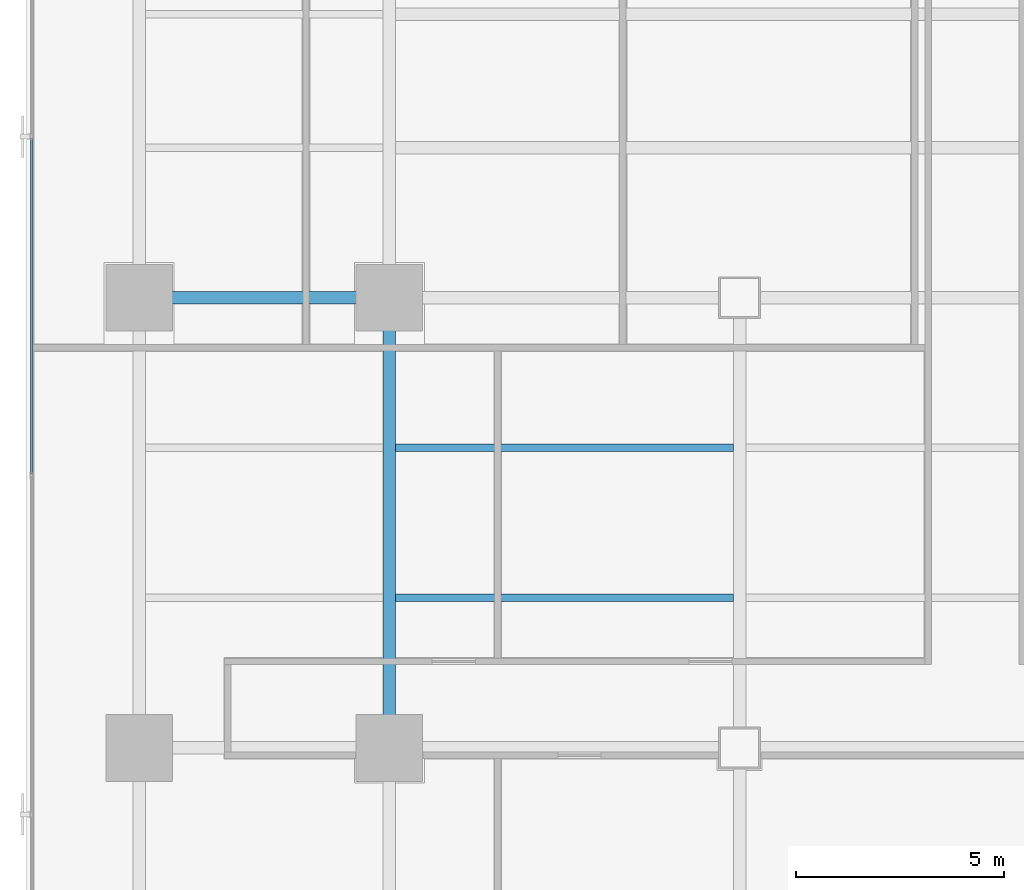
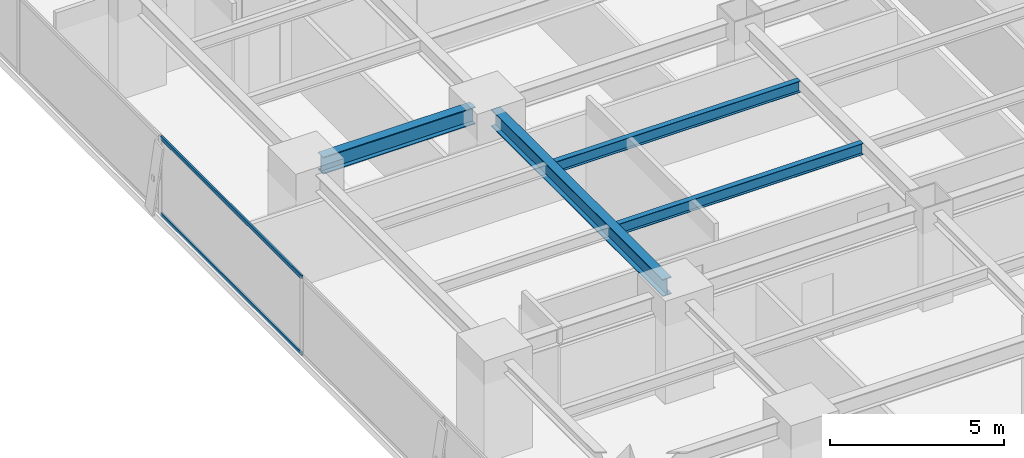
# One storey, part 9 of 37: 4 beams, 2 members, 1 element without a shape of its own.
"""IFC4 building model written with IfcOpenShell, lengths in metres."""

from ifc_helpers import new_model, si_unit, direction, frame, origin, origin_2d, place, context, subcontext, project, spatial, hollow_rectangle, i_section, extrude, source, transform, mapped, material, layer, layer_set, material_profile, profile_set, type_object, element, aggregate, save


model = new_model("IFC4")

# Units and contexts
model_context = context("Model", 3, precision=1e-05, world=origin(), true_north=direction((0.0, 1.0)))
body_context = subcontext(model_context, "Body", "Model", "MODEL_VIEW")
ifc_project = project(units=[si_unit("LENGTHUNIT", "METRE"), si_unit("AREAUNIT", "SQUARE_METRE"), si_unit("VOLUMEUNIT", "CUBIC_METRE"), si_unit("PLANEANGLEUNIT", "RADIAN"), si_unit("MASSUNIT", "GRAM", prefix="KILO")], contexts=[model_context])

# Site, building, storey
site_placement = place(None, origin())
site = spatial("IfcSite", under=ifc_project, at=site_placement, CompositionType="ELEMENT")
building_placement = place(site_placement, origin())
building = spatial("IfcBuilding", under=site, at=building_placement, Name="Sumidabori Civic Tower", CompositionType="ELEMENT")
storey_placement = place(building_placement, frame((0.0, 0.0, 95.60009765625)))
storey = spatial("IfcBuildingStorey", under=building, at=storey_placement, Name="L24", CompositionType="ELEMENT", Elevation=95.60009765625)

# Beams
ifc_material_1 = material(Name="Steel SN490", Category="steel")
ifc_material_profile_1 = material_profile(ifc_material_1, i_section(OverallWidth=0.300048828125, OverallDepth=0.60009765625, WebThickness=0.015380859375, FlangeThickness=0.030029296875, at=origin_2d()), Name="HE 600 B")
ifc_profile_set_1 = profile_set([ifc_material_profile_1], Name="Steel SN490")
beam_type_1 = type_object("IfcBeamType", Name="BM-GIRD-600", PredefinedType="BEAM", material=ifc_profile_set_1)
shared_shape_1 = source(origin(), body_context, "Body", "SweptSolid", [
    extrude(i_section(OverallWidth=0.300048828125, OverallDepth=0.60009765625, WebThickness=0.015380859375, FlangeThickness=0.030029296875, at=origin_2d()), origin(), (0.0, 0.0, 1.0), 5.0400390625),
])
beam_1_placement = place(storey_placement, frame((-22.320068359375, 0.0, 3.059814453125), z_axis=(1.0, 0.0, 0.0), x_axis=(0.0, 1.0, 0.0)))
element("IfcBeam", 1, at=beam_1_placement, inside=storey, type_object=beam_type_1, Name="Primary Girder L24 GX-13", PredefinedType="BEAM", context=body_context, shape_type="MappedRepresentation", body=[
    mapped(shared_shape_1, transform((0.0, 0.0, 0.0), x_axis=(1.0, 0.0, 0.0), y_axis=(0.0, 1.0, 0.0), z_axis=(0.0, 0.0, 1.0), scale=1.0)),
])
shared_shape_2 = source(origin(), body_context, "Body", "SweptSolid", [
    extrude(i_section(OverallWidth=0.300048828125, OverallDepth=0.60009765625, WebThickness=0.015380859375, FlangeThickness=0.030029296875, at=origin_2d()), origin(), (0.0, 0.0, 1.0), 9.840087890625),
])
beam_2_placement = place(storey_placement, frame((-16.800048828125, -10.320068359375, 3.059814453125), z_axis=(0.0, 1.0, 0.0), x_axis=(-1.0, 0.0, 0.0)))
element("IfcBeam", 2, at=beam_2_placement, inside=storey, type_object=beam_type_1, Name="Primary Girder L24 GY-26", PredefinedType="BEAM", context=body_context, shape_type="MappedRepresentation", body=[
    mapped(shared_shape_2, transform((0.0, 0.0, 0.0), x_axis=(1.0, 0.0, 0.0), y_axis=(0.0, 1.0, 0.0), z_axis=(0.0, 0.0, 1.0), scale=1.0)),
])
ifc_material_profile_2 = material_profile(ifc_material_1, i_section(OverallWidth=0.179931640625, OverallDepth=0.39990234375, WebThickness=0.008544921875, FlangeThickness=0.013427734375, at=origin_2d()), Name="IPE 400")
ifc_profile_set_2 = profile_set([ifc_material_profile_2], Name="Steel SN490")
beam_type_2 = type_object("IfcBeamType", Name="BM-JST-400", PredefinedType="JOIST", material=ifc_profile_set_2)
shared_shape_3 = source(origin(), body_context, "Body", "SweptSolid", [
    extrude(i_section(OverallWidth=0.179931640625, OverallDepth=0.39990234375, WebThickness=0.008544921875, FlangeThickness=0.013427734375, at=origin_2d()), origin(), (0.0, 0.0, 1.0), 8.099853515625),
])
for number, where, z_axis, x_axis, name in (
    (3, (-16.64990234375, -7.199951171875, 3.159912109375), (1.0, 0.0, 0.0), (0.0, 1.0, 0.0), "South Bay Floor Joist L24 JSTS-59"),
    (4, (-16.64990234375, -3.60009765625, 3.159912109375), (1.0, 0.0, 0.0), (0.0, 1.0, 0.0), "South Bay Floor Joist L24 JSTS-63"),
):
    element("IfcBeam", number, at=place(storey_placement, frame(where, z_axis=z_axis, x_axis=x_axis)), inside=storey, type_object=beam_type_2, Name=name, PredefinedType="JOIST", context=body_context, shape_type="MappedRepresentation", body=[
        mapped(shared_shape_3, transform((0.0, 0.0, 0.0), x_axis=(1.0, 0.0, 0.0), y_axis=(0.0, 1.0, 0.0), z_axis=(0.0, 0.0, 1.0), scale=1.0)),
    ])

# Curtain wall, members
ifc_material_2 = material(Name="Anodised Bronze Aluminium AW-6063-T6", Category="aluminium")
ifc_layer = layer(ifc_material_2, 0.179931640625, Name="Anodised Bronze Aluminium AW-6063-T6")
ifc_layer_set = layer_set([ifc_layer], Name="Anodised Bronze Aluminium AW-6063-T6")
curtain_wall_type = type_object("IfcCurtainWallType", Name="CW-SYS-3", PredefinedType="NOTDEFINED", material=ifc_layer_set)
curtain_wall_placement = place(storey_placement, origin())
curtain_wall = element("IfcCurtainWall", 5, at=curtain_wall_placement, inside=storey, type_object=curtain_wall_type, Name="Curtain Wall CW:L24:R10", PredefinedType="NOTDEFINED")
ifc_material_profile_3 = material_profile(ifc_material_2, hollow_rectangle(XDim=0.06005859375, YDim=0.1298828125, WallThickness=0.0048828125, at=origin_2d()), Name="ALU TRANSOM 130x60")
ifc_profile_set_3 = profile_set([ifc_material_profile_3], Name="Anodised Bronze Aluminium AW-6063-T6")
member_type = type_object("IfcMemberType", Name="CW-TRN-130", PredefinedType="USERDEFINED", material=ifc_profile_set_3)
shared_shape_4 = source(origin(), body_context, "Body", "SweptSolid", [
    extrude(hollow_rectangle(XDim=0.06005859375, YDim=0.1298828125, WallThickness=0.0048828125, at=origin_2d()), origin(), (0.0, 0.0, 1.0), 8.06298828125),
])
member_1_placement = place(storey_placement, frame((-25.3798828125, 3.83154296875, 0.02978515625), z_axis=(0.0, -1.0, 0.0), x_axis=(1.0, 0.0, 0.0)))
member_1 = element("IfcMember", 6, at=member_1_placement, type_object=member_type, Name="CW-3 transom 3.1", ObjectType="TRANSOM", PredefinedType="USERDEFINED", context=body_context, shape_type="MappedRepresentation", body=[
    mapped(shared_shape_4, transform((0.0, 0.0, 0.0), x_axis=(1.0, 0.0, 0.0), y_axis=(0.0, 1.0, 0.0), z_axis=(0.0, 0.0, 1.0), scale=1.0)),
])
member_2_placement = place(storey_placement, frame((-25.3798828125, 3.83154296875, 2.7099609375), z_axis=(0.0, -1.0, 0.0), x_axis=(1.0, 0.0, 0.0)))
member_2 = element("IfcMember", 7, at=member_2_placement, type_object=member_type, Name="CW-3 transom 3.2", ObjectType="TRANSOM", PredefinedType="USERDEFINED", context=body_context, shape_type="MappedRepresentation", body=[
    mapped(shared_shape_4, transform((0.0, 0.0, 0.0), x_axis=(1.0, 0.0, 0.0), y_axis=(0.0, 1.0, 0.0), z_axis=(0.0, 0.0, 1.0), scale=1.0)),
])
aggregate(curtain_wall, [member_1, member_2])

save(model, "model.ifc")
